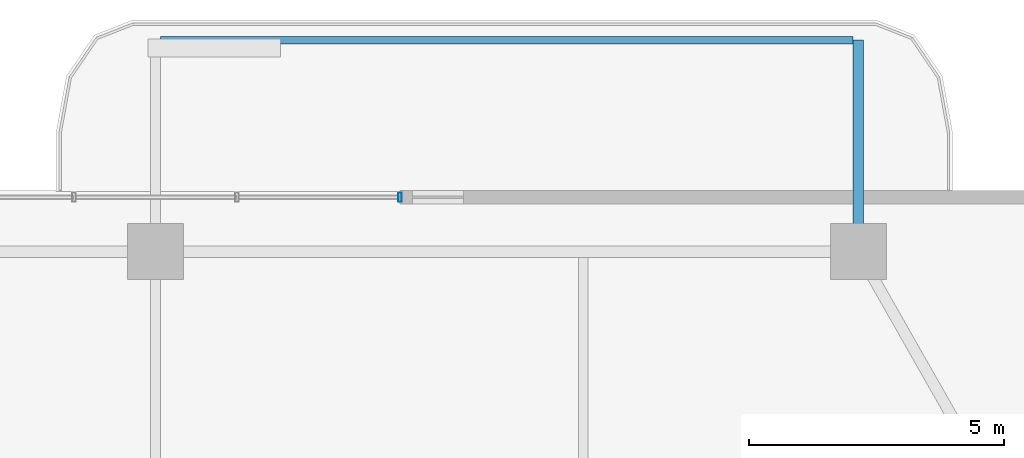
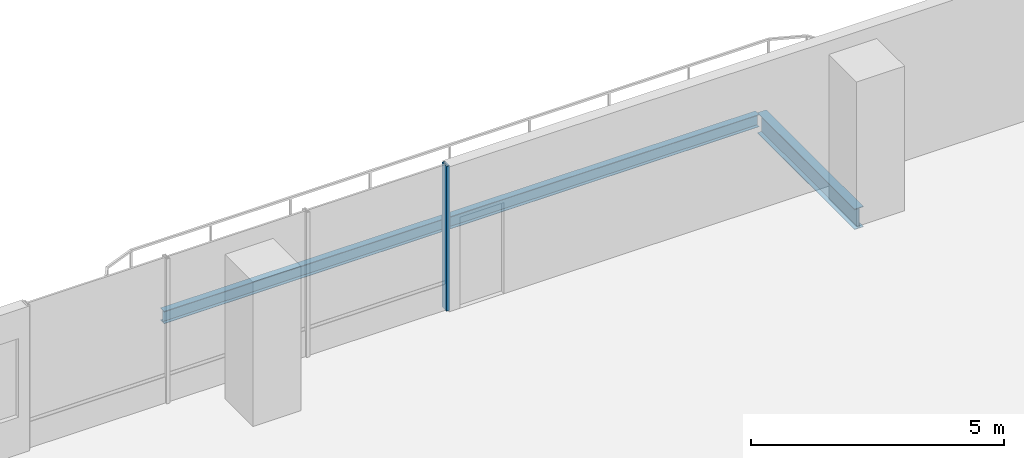
# One storey, part 15 of 23: 2 beams, 1 member, 1 element without a shape of its own.
"""IFC4 building model written with IfcOpenShell, lengths in metres."""

from ifc_helpers import new_model, si_unit, direction, frame, origin, origin_2d, place, context, subcontext, project, spatial, hollow_rectangle, i_section, extrude, material, layer, layer_set, material_profile, profile_set, type_object, element, aggregate, save


model = new_model("IFC4")

# Units and contexts
model_context = context("Model", 3, precision=1e-05, world=origin(), true_north=direction((0.0, 1.0)))
body_context = subcontext(model_context, "Body", "Model", "MODEL_VIEW")
ifc_project = project(units=[si_unit("LENGTHUNIT", "METRE"), si_unit("AREAUNIT", "SQUARE_METRE"), si_unit("VOLUMEUNIT", "CUBIC_METRE"), si_unit("PLANEANGLEUNIT", "RADIAN"), si_unit("MASSUNIT", "GRAM", prefix="KILO")], contexts=[model_context])

# Site, building, storey
site_placement = place(None, origin())
site = spatial("IfcSite", under=ifc_project, at=site_placement, CompositionType="ELEMENT")
building_placement = place(site_placement, origin())
building = spatial("IfcBuilding", under=site, at=building_placement, Name="Belovzor Exchange Tower", CompositionType="ELEMENT")
storey_placement = place(building_placement, frame((0.0, 0.0, 229.949951171875)))
storey = spatial("IfcBuildingStorey", under=building, at=storey_placement, Name="L57", CompositionType="ELEMENT", Elevation=229.949951171875)

# Beams
ifc_material_1 = material(Name="Steel S355", Category="steel")
ifc_material_profile_1 = material_profile(ifc_material_1, i_section(OverallWidth=0.199951171875, OverallDepth=0.5, WebThickness=0.01025390625, FlangeThickness=0.01611328125, at=origin_2d()))
ifc_profile_set_1 = profile_set([ifc_material_profile_1], Name="Steel S355")
beam_type_1 = type_object("IfcBeamType", Name="Planted Balcony Cantilever Beam IPE 500", PredefinedType="BEAM", material=ifc_profile_set_1)
beam_1_placement = place(storey_placement, frame((42.60009765625, 54.903076171875, -0.5), z_axis=(0.0, 1.0, 0.0), x_axis=(-1.0, 0.0, 0.0)))
element("IfcBeam", 1, at=beam_1_placement, inside=storey, type_object=beam_type_1, Name="BC-500 Planted Balcony Cantilever Beam IPE 500", PredefinedType="BEAM", context=body_context, shape_type="SweptSolid", body=[
    extrude(i_section(OverallWidth=0.199951171875, OverallDepth=0.5, WebThickness=0.01025390625, FlangeThickness=0.01611328125, at=origin_2d()), origin(), (0.0, 0.0, 1.0), 3.849853515625),
])
ifc_material_2 = material(Name="Steel S355", Category="steel")
ifc_material_profile_2 = material_profile(ifc_material_2, i_section(OverallWidth=0.14990234375, OverallDepth=0.300048828125, WebThickness=0.007080078125, FlangeThickness=0.0107421875, at=origin_2d()))
ifc_profile_set_2 = profile_set([ifc_material_profile_2], Name="Steel S355")
beam_type_2 = type_object("IfcBeamType", Name="Planted Balcony Fascia Edge Beam IPE 300", PredefinedType="BEAM", material=ifc_profile_set_2)
beam_2_placement = place(storey_placement, frame((42.5, 58.7529296875, -0.39990234375), z_axis=(-1.0, 0.0, 0.0), x_axis=(0.0, -1.0, 0.0)))
element("IfcBeam", 2, at=beam_2_placement, inside=storey, type_object=beam_type_2, Name="BC-300 Planted Balcony Fascia Edge Beam IPE 300", PredefinedType="BEAM", context=body_context, shape_type="SweptSolid", body=[
    extrude(i_section(OverallWidth=0.14990234375, OverallDepth=0.300048828125, WebThickness=0.007080078125, FlangeThickness=0.0107421875, at=origin_2d()), origin(), (0.0, 0.0, 1.0), 13.60009765625),
])

# Curtain wall, member
ifc_material_3 = material(Name="Anodised Aluminium Framing", Category="aluminium")
ifc_layer = layer(ifc_material_3, 0.179931640625)
ifc_layer_set = layer_set([ifc_layer], Name="Anodised Aluminium Framing")
curtain_wall_type = type_object("IfcCurtainWallType", Name="Recessed Loggia Low-Iron Triple-Glazed Curtain Wall", PredefinedType="NOTDEFINED", material=ifc_layer_set)
curtain_wall_placement = place(storey_placement, origin())
curtain_wall = element("IfcCurtainWall", 3, at=curtain_wall_placement, inside=storey, type_object=curtain_wall_type, Name="CW3 Recessed Loggia Low-Iron Triple-Glazed Curtain Wall L57", PredefinedType="NOTDEFINED")
ifc_material_4 = material(Name="Steel S355", Category="steel")
ifc_material_profile_3 = material_profile(ifc_material_4, hollow_rectangle(XDim=0.074951171875, YDim=0.179931640625, WallThickness=0.0048828125, at=origin_2d()))
ifc_profile_set_3 = profile_set([ifc_material_profile_3], Name="Steel S355")
member_type = type_object("IfcMemberType", Name="Thermally Broken Curtain Wall Mullion 180x75", PredefinedType="MULLION", material=ifc_profile_set_3)
member_placement = place(storey_placement, frame((33.60009765625, 55.669921875, 0.0), z_axis=(0.0, 0.0, 1.0), x_axis=(1.0, 0.0, 0.0)))
member = element("IfcMember", 4, at=member_placement, type_object=member_type, Name="CW-M180 Curtain Wall Mullion 4", PredefinedType="MULLION", context=body_context, shape_type="SweptSolid", body=[
    extrude(hollow_rectangle(XDim=0.074951171875, YDim=0.179931640625, WallThickness=0.0048828125, at=origin_2d()), origin(), (0.0, 0.0, 1.0), 3.5),
])
aggregate(curtain_wall, [member])

save(model, "model.ifc")
